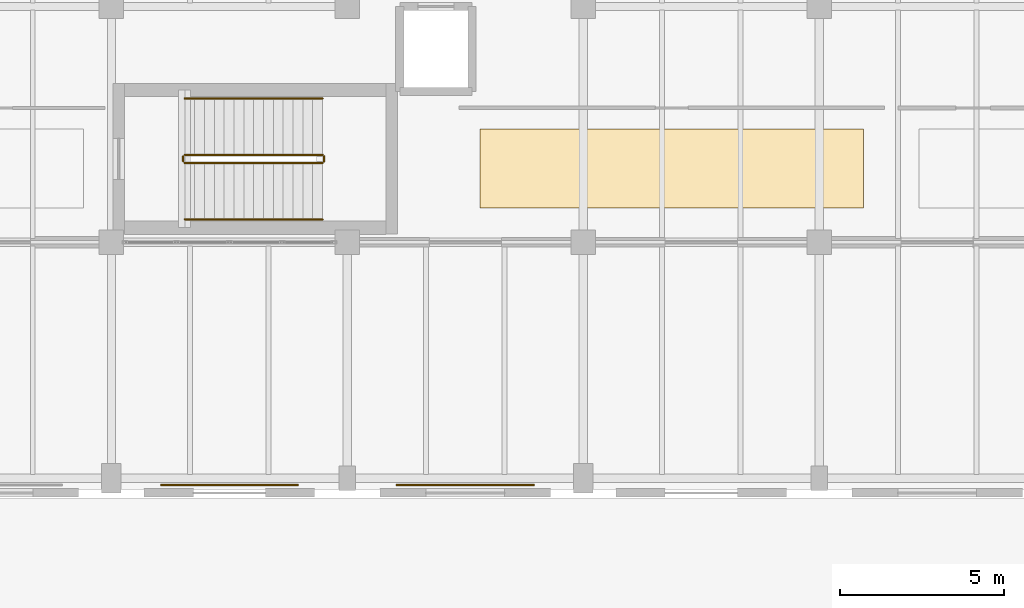
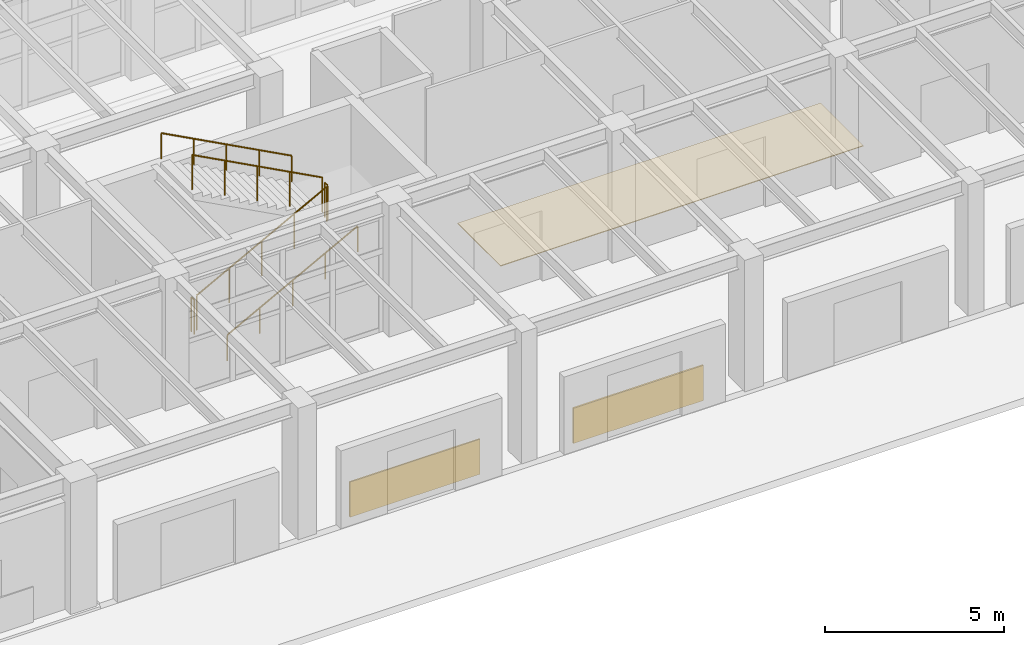
# One storey, part 35 of 39: 6 railings, 3 coverings.
"""IFC4 building model written with IfcOpenShell, lengths in metres."""

from ifc_helpers import new_model, si_unit, direction, frame, origin, origin_2d, place, context, subcontext, project, spatial, polyline, rectangle, circle, outline, extrude, material, layer, layer_set, type_object, element, save


model = new_model("IFC4")

# Units and contexts
model_context = context("Model", 3, precision=1e-05, world=origin(), true_north=direction((0.0, 1.0)))
body_context = subcontext(model_context, "Body", "Model", "MODEL_VIEW")
ifc_project = project(units=[si_unit("LENGTHUNIT", "METRE"), si_unit("AREAUNIT", "SQUARE_METRE"), si_unit("VOLUMEUNIT", "CUBIC_METRE"), si_unit("PLANEANGLEUNIT", "RADIAN"), si_unit("MASSUNIT", "GRAM", prefix="KILO")], contexts=[model_context])

# Site, building, storey
site_placement = place(None, origin())
site = spatial("IfcSite", under=ifc_project, at=site_placement, CompositionType="ELEMENT")
building_placement = place(site_placement, origin())
building = spatial("IfcBuilding", under=site, at=building_placement, Name="Kandorven Conservatory and Botanical Research Centre", CompositionType="ELEMENT")
storey_placement = place(building_placement, origin())
storey = spatial("IfcBuildingStorey", under=building, at=storey_placement, Name="L00", CompositionType="ELEMENT", Elevation=0.0)

# Coverings
ifc_material_1 = material(Name="Dressed Dhrangadhra yellow sandstone cladding", Category="masonry")
ifc_layer_1 = layer(ifc_material_1, 0.044921875)
ifc_layer_set_1 = layer_set([ifc_layer_1], Name="Dressed Dhrangadhra yellow sandstone cladding")
covering_type_1 = type_object("IfcCoveringType", Name="Clad_Sandstone_1", PredefinedType="CLADDING", material=ifc_layer_set_1)
covering_1_placement = place(storey_placement, frame((52.800048828125, 5.797607421875, 0.0), z_axis=(0.0, 0.0, 1.0), x_axis=(1.0, 0.0, 0.0)))
element("IfcCovering", 1, at=covering_1_placement, inside=storey, type_object=covering_type_1, Name="Dhrangadhra sandstone plinth cladding panel S-07", PredefinedType="CLADDING", context=body_context, shape_type="SweptSolid", body=[
    extrude(rectangle(XDim=4.199951171875, YDim=0.044921875, at=origin_2d()), origin(), (0.0, 0.0, 1.0), 1.199951171875),
])
ifc_material_2 = material(Name="Dressed Dhrangadhra yellow sandstone cladding", Category="masonry")
ifc_layer_2 = layer(ifc_material_2, 0.054931640625)
ifc_layer_set_2 = layer_set([ifc_layer_2], Name="Dressed Dhrangadhra yellow sandstone cladding")
covering_type_2 = type_object("IfcCoveringType", Name="Clad_Sandstone_2", PredefinedType="CLADDING", material=ifc_layer_set_2)
covering_2_placement = place(storey_placement, frame((60.0, 5.79248046875, 0.0), z_axis=(0.0, 0.0, 1.0), x_axis=(1.0, 0.0, 0.0)))
element("IfcCovering", 2, at=covering_2_placement, inside=storey, type_object=covering_type_2, Name="Dhrangadhra sandstone plinth cladding panel S-08", PredefinedType="CLADDING", context=body_context, shape_type="SweptSolid", body=[
    extrude(rectangle(XDim=4.199951171875, YDim=0.054931640625, at=origin_2d()), origin(), (0.0, 0.0, 1.0), 1.199951171875),
])
ifc_material_3 = material(Name="Honed Kota stone and epoxy laboratory flooring", Category="masonry")
ifc_layer_3 = layer(ifc_material_3, 0.02490234375)
ifc_layer_set_3 = layer_set([ifc_layer_3], Name="Honed Kota stone and epoxy laboratory flooring")
covering_type_3 = type_object("IfcCoveringType", Name="Cov_Flooring_1", PredefinedType="FLOORING", material=ifc_layer_set_3)
covering_3_placement = place(storey_placement, origin())
element("IfcCovering", 3, at=covering_3_placement, inside=storey, type_object=covering_type_3, Name="Floor finish FLR-01 (Botanical Book and Seed Shop)", PredefinedType="FLOORING", context=body_context, shape_type="SweptSolid", body=[
    extrude(outline(polyline([(60.449951171875, 14.25), (72.14990234375, 14.25), (72.14990234375, 16.64990234375), (60.449951171875, 16.64990234375), (60.449951171875, 14.25)])), origin(), (0.0, 0.0, 1.0), 0.02490234375),
])

# Railings
ifc_material_4 = material(Name="Steel S355 (IS 2062 E350)", Category="steel")
railing_type_1 = type_object("IfcRailingType", Name="StairGuard_1150", PredefinedType="BALUSTRADE", material=ifc_material_4)
railing_1_placement = place(storey_placement, frame((51.43994140625, 15.6201171875, 0.159912109375)))
element("IfcRailing", 4, at=railing_1_placement, inside=storey, type_object=railing_type_1, Name="L00 ST-V3A stair guard 1", PredefinedType="BALUSTRADE", context=body_context, shape_type="SweptSolid", body=[
    extrude(circle(Radius=0.02392578125, at=origin_2d()), frame((0.0, 0.0, 1.17578125), z_axis=(0.882351521365, 0.0, 0.470590897432), x_axis=(0.0, 1.0, 0.0)), (0.0, 0.0, 1.0), 4.760009765625),
    extrude(circle(Radius=0.02099609375, at=origin_2d()), origin(), (0.0, 0.0, 1.0), 1.15185546875),
    extrude(circle(Radius=0.02099609375, at=origin_2d()), frame((1.050048828125, 0.0, 0.56005859375)), (0.0, 0.0, 1.0), 1.15185546875),
    extrude(circle(Radius=0.02099609375, at=origin_2d()), frame((2.10009765625, 0.0, 1.1201171875)), (0.0, 0.0, 1.0), 1.15185546875),
    extrude(circle(Radius=0.02099609375, at=origin_2d()), frame((3.14990234375, 0.0, 1.679931640625)), (0.0, 0.0, 1.0), 1.15185546875),
    extrude(circle(Radius=0.02099609375, at=origin_2d()), frame((4.199951171875, 0.0, 2.239990234375)), (0.0, 0.0, 1.0), 1.15185546875),
])
railing_2_placement = place(storey_placement, frame((55.68994140625, 15.669921875, 2.39990234375)))
element("IfcRailing", 5, at=railing_2_placement, inside=storey, type_object=railing_type_1, Name="L00 ST-V3A stair guard 2", PredefinedType="BALUSTRADE", context=body_context, shape_type="SweptSolid", body=[
    extrude(circle(Radius=0.02392578125, at=origin_2d()), frame((0.0, 0.0, 1.17578125), z_axis=(0.0, 1.0, 0.0), x_axis=(-1.0, 0.0, 0.0)), (0.0, 0.0, 1.0), 0.150146484375),
    extrude(circle(Radius=0.02099609375, at=origin_2d()), origin(), (0.0, 0.0, 1.0), 1.15185546875),
    extrude(circle(Radius=0.02099609375, at=origin_2d()), frame((0.0, 0.150146484375, 0.0)), (0.0, 0.0, 1.0), 1.15185546875),
])
railing_3_placement = place(storey_placement, frame((55.639892578125, 15.8701171875, 2.56005859375)))
element("IfcRailing", 6, at=railing_3_placement, inside=storey, type_object=railing_type_1, Name="L00 ST-V3A stair guard 3", PredefinedType="BALUSTRADE", context=body_context, shape_type="SweptSolid", body=[
    extrude(circle(Radius=0.02392578125, at=origin_2d()), frame((0.0, 0.0, 1.17578125), z_axis=(-0.882351521365, 0.0, 0.470590897432), x_axis=(0.0, -1.0, 0.0)), (0.0, 0.0, 1.0), 4.760009765625),
    extrude(circle(Radius=0.02099609375, at=origin_2d()), origin(), (0.0, 0.0, 1.0), 1.15185546875),
    extrude(circle(Radius=0.02099609375, at=origin_2d()), frame((-1.050048828125, 0.0, 0.56005859375)), (0.0, 0.0, 1.0), 1.15185546875),
    extrude(circle(Radius=0.02099609375, at=origin_2d()), frame((-2.10009765625, 0.0, 1.1201171875)), (0.0, 0.0, 1.0), 1.15185546875),
    extrude(circle(Radius=0.02099609375, at=origin_2d()), frame((-3.14990234375, 0.0, 1.679931640625)), (0.0, 0.0, 1.0), 1.15185546875),
    extrude(circle(Radius=0.02099609375, at=origin_2d()), frame((-4.199951171875, 0.0, 2.239990234375)), (0.0, 0.0, 1.0), 1.15185546875),
])
railing_4_placement = place(storey_placement, frame((51.389892578125, 15.669921875, 0.0)))
element("IfcRailing", 7, at=railing_4_placement, inside=storey, type_object=railing_type_1, Name="L00 ST-V3A stair guard 4", PredefinedType="BALUSTRADE", context=body_context, shape_type="SweptSolid", body=[
    extrude(circle(Radius=0.02392578125, at=origin_2d()), frame((0.0, 0.0, 1.17578125), z_axis=(0.0, 1.0, 0.0), x_axis=(-1.0, 0.0, 0.0)), (0.0, 0.0, 1.0), 0.150146484375),
    extrude(circle(Radius=0.02099609375, at=origin_2d()), origin(), (0.0, 0.0, 1.0), 1.15185546875),
    extrude(circle(Radius=0.02099609375, at=origin_2d()), frame((0.0, 0.150146484375, 0.0)), (0.0, 0.0, 1.0), 1.15185546875),
])
ifc_material_5 = material(Name="Steel S355 (IS 2062 E350)", Category="steel")
railing_type_2 = type_object("IfcRailingType", Name="StairHandrail_900", PredefinedType="HANDRAIL", material=ifc_material_5)
railing_5_placement = place(storey_placement, frame((51.43994140625, 13.89990234375, 0.159912109375)))
element("IfcRailing", 8, at=railing_5_placement, inside=storey, type_object=railing_type_2, Name="L00 ST-V3A stair handrail 1", PredefinedType="HANDRAIL", context=body_context, shape_type="SweptSolid", body=[
    extrude(circle(Radius=0.02392578125, at=origin_2d()), frame((0.0, 0.0, 0.8759765625), z_axis=(0.882351521365, 0.0, 0.470590897432), x_axis=(0.0, 1.0, 0.0)), (0.0, 0.0, 1.0), 4.760009765625),
    extrude(circle(Radius=0.02099609375, at=origin_2d()), origin(), (0.0, 0.0, 1.0), 0.851806640625),
    extrude(circle(Radius=0.02099609375, at=origin_2d()), frame((1.050048828125, 0.0, 0.56005859375)), (0.0, 0.0, 1.0), 0.851806640625),
    extrude(circle(Radius=0.02099609375, at=origin_2d()), frame((2.10009765625, 0.0, 1.1201171875)), (0.0, 0.0, 1.0), 0.851806640625),
    extrude(circle(Radius=0.02099609375, at=origin_2d()), frame((3.14990234375, 0.0, 1.679931640625)), (0.0, 0.0, 1.0), 0.851806640625),
    extrude(circle(Radius=0.02099609375, at=origin_2d()), frame((4.199951171875, 0.0, 2.239990234375)), (0.0, 0.0, 1.0), 0.851806640625),
])
railing_6_placement = place(storey_placement, frame((55.639892578125, 17.590087890625, 2.56005859375)))
element("IfcRailing", 9, at=railing_6_placement, inside=storey, type_object=railing_type_2, Name="L00 ST-V3A stair handrail 2", PredefinedType="HANDRAIL", context=body_context, shape_type="SweptSolid", body=[
    extrude(circle(Radius=0.02392578125, at=origin_2d()), frame((0.0, 0.0, 0.8759765625), z_axis=(-0.882351521365, 0.0, 0.470590897432), x_axis=(0.0, -1.0, 0.0)), (0.0, 0.0, 1.0), 4.760009765625),
    extrude(circle(Radius=0.02099609375, at=origin_2d()), origin(), (0.0, 0.0, 1.0), 0.851806640625),
    extrude(circle(Radius=0.02099609375, at=origin_2d()), frame((-1.050048828125, 0.0, 0.56005859375)), (0.0, 0.0, 1.0), 0.851806640625),
    extrude(circle(Radius=0.02099609375, at=origin_2d()), frame((-2.10009765625, 0.0, 1.1201171875)), (0.0, 0.0, 1.0), 0.851806640625),
    extrude(circle(Radius=0.02099609375, at=origin_2d()), frame((-3.14990234375, 0.0, 1.679931640625)), (0.0, 0.0, 1.0), 0.851806640625),
    extrude(circle(Radius=0.02099609375, at=origin_2d()), frame((-4.199951171875, 0.0, 2.239990234375)), (0.0, 0.0, 1.0), 0.851806640625),
])

save(model, "model.ifc")
